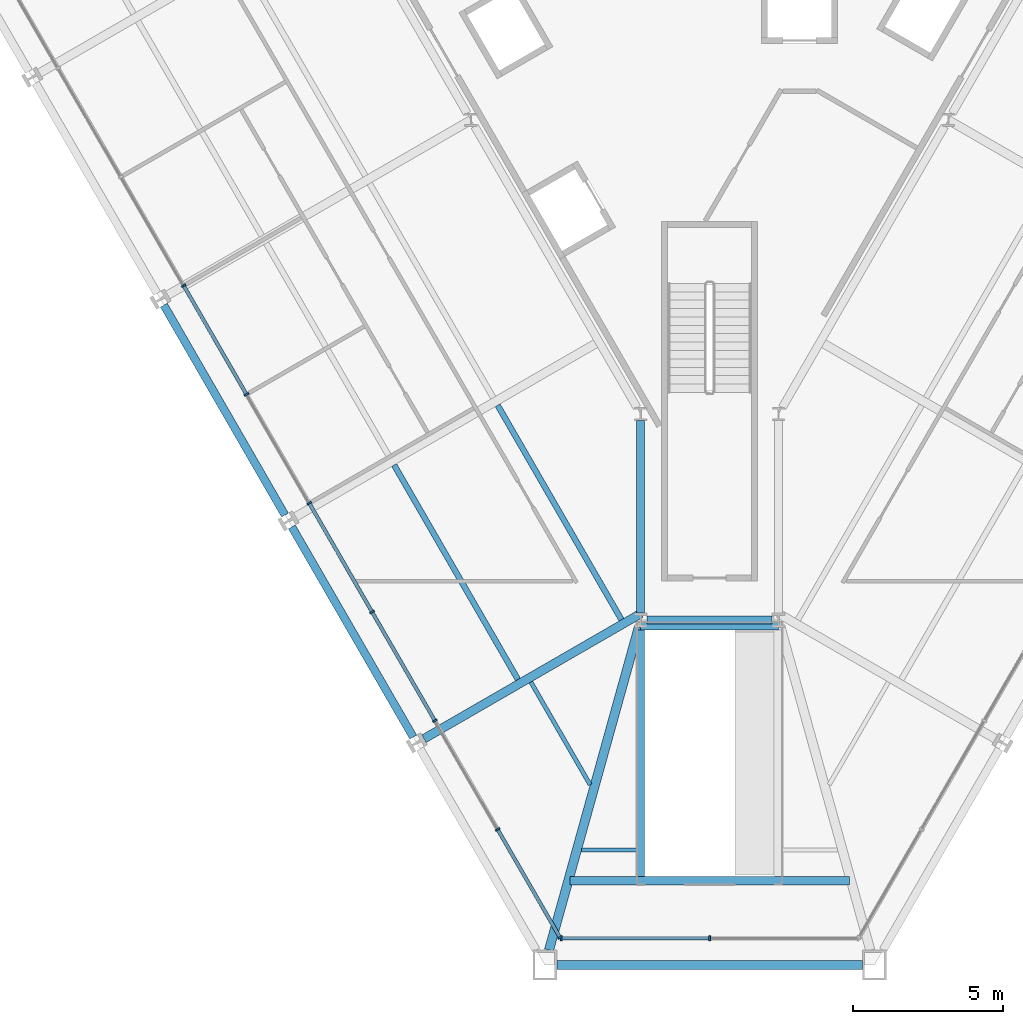
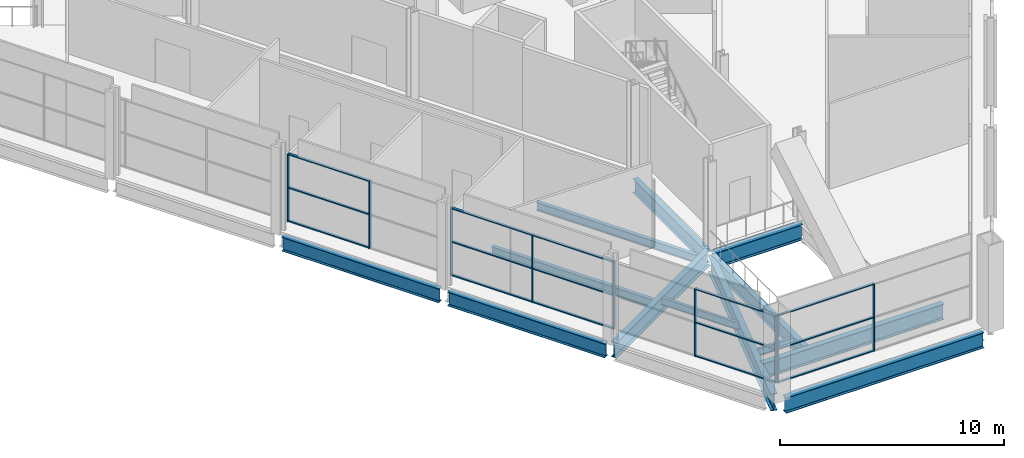
# One storey, part 2 of 18: 24 members, 14 beams, 2 elements without a shape of their own.
"""IFC4 building model written with IfcOpenShell, lengths in metres."""

from ifc_helpers import new_model, si_unit, direction, frame, origin, origin_2d, place, context, subcontext, project, spatial, rectangle, i_section, extrude, material, layer, layer_set, material_profile, profile_set, type_object, element, aggregate, save


model = new_model("IFC4")

# Units and contexts
model_context = context("Model", 3, precision=1e-05, world=origin(), true_north=direction((0.0, 1.0)))
body_context = subcontext(model_context, "Body", "Model", "MODEL_VIEW")
ifc_project = project(units=[si_unit("LENGTHUNIT", "METRE"), si_unit("AREAUNIT", "SQUARE_METRE"), si_unit("VOLUMEUNIT", "CUBIC_METRE"), si_unit("PLANEANGLEUNIT", "RADIAN"), si_unit("MASSUNIT", "GRAM", prefix="KILO")], contexts=[model_context])

# Site, building, storey
site_placement = place(None, origin())
site = spatial("IfcSite", under=ifc_project, at=site_placement, CompositionType="ELEMENT")
building_placement = place(site_placement, origin())
building = spatial("IfcBuilding", under=site, at=building_placement, Name="Verrane Prism Tower", CompositionType="ELEMENT")
storey_placement = place(building_placement, frame((0.0, 0.0, 27.199951171875)))
storey = spatial("IfcBuildingStorey", under=building, at=storey_placement, Name="L04", CompositionType="ELEMENT", Elevation=27.199951171875)

# Curtain wall, members
ifc_material_1 = material(Name="Aluminium and glass curtain wall", Category="aluminium")
ifc_layer = layer(ifc_material_1, 0.199951171875)
ifc_layer_set = layer_set([ifc_layer], Name="CWB-1 retail curtain wall")
curtain_wall_type = type_object("IfcCurtainWallType", Name="CWB-1 retail curtain wall", PredefinedType="NOTDEFINED", material=ifc_layer_set)
curtain_wall_1_placement = place(storey_placement, origin())
curtain_wall_1 = element("IfcCurtainWall", 1, at=curtain_wall_1_placement, inside=storey, type_object=curtain_wall_type, Name="Retail curtain wall L04 4", PredefinedType="NOTDEFINED")
ifc_material_2 = material(Name="Aluminium", Category="aluminium")
ifc_material_profile_1 = material_profile(ifc_material_2, rectangle(XDim=0.159912109375, YDim=0.06005859375, at=origin_2d()), Name="CWB-M 60x160 mullion")
ifc_profile_set_1 = profile_set([ifc_material_profile_1], Name="Aluminium")
member_type_1 = type_object("IfcMemberType", Name="CWB-M 60x160 mullion", PredefinedType="MULLION", material=ifc_profile_set_1)
member_1_placement = place(storey_placement, frame((-17.554443359375, -10.135009765625, 0.0), z_axis=(0.0, 0.0, 1.0), x_axis=(0.866025335097, 0.50000011897, 0.0)))
member_1 = element("IfcMember", 2, at=member_1_placement, type_object=member_type_1, Name="CWB44 mullion 7", PredefinedType="MULLION", context=body_context, shape_type="SweptSolid", body=[
    extrude(rectangle(XDim=0.159912109375, YDim=0.06005859375, at=origin_2d()), origin(), (0.0, 0.0, 1.0), 3.68994140625),
])
member_2_placement = place(storey_placement, frame((-15.458740234375, -13.764892578125, 0.0), z_axis=(0.0, 0.0, 1.0), x_axis=(0.866025335097, 0.50000011897, 0.0)))
member_2 = element("IfcMember", 3, at=member_2_placement, type_object=member_type_1, Name="CWB44 mullion 8", PredefinedType="MULLION", context=body_context, shape_type="SweptSolid", body=[
    extrude(rectangle(XDim=0.159912109375, YDim=0.06005859375, at=origin_2d()), origin(), (0.0, 0.0, 1.0), 3.68994140625),
])
member_3_placement = place(storey_placement, frame((-13.363037109375, -17.39453125, 0.0), z_axis=(0.0, 0.0, 1.0), x_axis=(0.866025335097, 0.50000011897, 0.0)))
member_3 = element("IfcMember", 4, at=member_3_placement, type_object=member_type_1, Name="CWB44 mullion 9", PredefinedType="MULLION", context=body_context, shape_type="SweptSolid", body=[
    extrude(rectangle(XDim=0.159912109375, YDim=0.06005859375, at=origin_2d()), origin(), (0.0, 0.0, 1.0), 3.68994140625),
])
member_4_placement = place(storey_placement, frame((-11.267333984375, -21.0244140625, 0.0), z_axis=(0.0, 0.0, 1.0), x_axis=(0.866025335097, 0.50000011897, 0.0)))
member_4 = element("IfcMember", 5, at=member_4_placement, type_object=member_type_1, Name="CWB44 mullion 10", PredefinedType="MULLION", context=body_context, shape_type="SweptSolid", body=[
    extrude(rectangle(XDim=0.159912109375, YDim=0.06005859375, at=origin_2d()), origin(), (0.0, 0.0, 1.0), 3.68994140625),
])
member_5_placement = place(storey_placement, frame((-9.171630859375, -24.654052734375, 0.0), z_axis=(0.0, 0.0, 1.0), x_axis=(0.866025335097, 0.50000011897, 0.0)))
member_5 = element("IfcMember", 6, at=member_5_placement, type_object=member_type_1, Name="CWB44 mullion 11", PredefinedType="MULLION", context=body_context, shape_type="SweptSolid", body=[
    extrude(rectangle(XDim=0.159912109375, YDim=0.06005859375, at=origin_2d()), origin(), (0.0, 0.0, 1.0), 3.68994140625),
])
member_6_placement = place(storey_placement, frame((-7.075927734375, -28.283935546875, 0.0), z_axis=(0.0, 0.0, 1.0), x_axis=(0.866025335097, 0.50000011897, 0.0)))
member_6 = element("IfcMember", 7, at=member_6_placement, type_object=member_type_1, Name="CWB44 mullion 12", PredefinedType="MULLION", context=body_context, shape_type="SweptSolid", body=[
    extrude(rectangle(XDim=0.159912109375, YDim=0.06005859375, at=origin_2d()), origin(), (0.0, 0.0, 1.0), 3.68994140625),
])
member_7_placement = place(storey_placement, frame((-4.995361328125, -31.8876953125, 0.0), z_axis=(0.0, 0.0, 1.0), x_axis=(0.866025335097, 0.50000011897, 0.0)))
member_7 = element("IfcMember", 8, at=member_7_placement, type_object=member_type_1, Name="CWB44 mullion 13", PredefinedType="MULLION", context=body_context, shape_type="SweptSolid", body=[
    extrude(rectangle(XDim=0.159912109375, YDim=0.06005859375, at=origin_2d()), origin(), (0.0, 0.0, 1.0), 3.68994140625),
])

curtain_wall_2_placement = place(storey_placement, origin())
curtain_wall_2 = element("IfcCurtainWall", 9, at=curtain_wall_2_placement, inside=storey, type_object=curtain_wall_type, Name="Retail curtain wall L04 5", PredefinedType="NOTDEFINED")
member_8_placement = place(storey_placement, frame((-4.950439453125, -31.913818359375, 0.0), z_axis=(0.0, 0.0, 1.0), x_axis=(0.0, 1.0, 0.0)))
member_8 = element("IfcMember", 10, at=member_8_placement, type_object=member_type_1, Name="CWB45 mullion 1", PredefinedType="MULLION", context=body_context, shape_type="SweptSolid", body=[
    extrude(rectangle(XDim=0.159912109375, YDim=0.06005859375, at=origin_2d()), origin(), (0.0, 0.0, 1.0), 3.68994140625),
])
member_9_placement = place(storey_placement, frame((0.0, -31.913818359375, 0.0), z_axis=(0.0, 0.0, 1.0), x_axis=(0.0, 1.0, 0.0)))
member_9 = element("IfcMember", 11, at=member_9_placement, type_object=member_type_1, Name="CWB45 mullion 2", PredefinedType="MULLION", context=body_context, shape_type="SweptSolid", body=[
    extrude(rectangle(XDim=0.159912109375, YDim=0.06005859375, at=origin_2d()), origin(), (0.0, 0.0, 1.0), 3.68994140625),
])

# Member
ifc_material_3 = material(Name="Aluminium", Category="aluminium")
ifc_material_profile_2 = material_profile(ifc_material_3, rectangle(XDim=0.1201171875, YDim=0.06005859375, at=origin_2d()), Name="CWB-T 60x120 transom")
ifc_profile_set_2 = profile_set([ifc_material_profile_2], Name="Aluminium")
member_type_2 = type_object("IfcMemberType", Name="CWB-T 60x120 transom", PredefinedType="USERDEFINED", material=ifc_profile_set_2)
member_10_placement = place(storey_placement, frame((-17.539306640625, -10.160888671875, 0.030029296875), z_axis=(0.499996977546, -0.866027148792, 0.0), x_axis=(0.866027148792, 0.499996977546, 0.0)))
member_10 = element("IfcMember", 12, at=member_10_placement, type_object=member_type_2, Name="CWB44 transom 7.1", ObjectType="TRANSOM", PredefinedType="USERDEFINED", context=body_context, shape_type="SweptSolid", body=[
    extrude(rectangle(XDim=0.1201171875, YDim=0.06005859375, at=origin_2d()), origin(), (0.0, 0.0, 1.0), 4.13134765625),
])

member_11_placement = place(storey_placement, frame((-17.539306640625, -10.160888671875, 1.844970703125), z_axis=(0.499996977546, -0.866027148792, 0.0), x_axis=(0.866027148792, 0.499996977546, 0.0)))
member_11 = element("IfcMember", 13, at=member_11_placement, type_object=member_type_2, Name="CWB44 transom 7.2", ObjectType="TRANSOM", PredefinedType="USERDEFINED", context=body_context, shape_type="SweptSolid", body=[
    extrude(rectangle(XDim=0.1201171875, YDim=0.06005859375, at=origin_2d()), origin(), (0.0, 0.0, 1.0), 4.13134765625),
])

member_12_placement = place(storey_placement, frame((-17.539306640625, -10.160888671875, 3.66015625), z_axis=(0.499996977546, -0.866027148792, 0.0), x_axis=(0.866027148792, 0.499996977546, 0.0)))
member_12 = element("IfcMember", 14, at=member_12_placement, type_object=member_type_2, Name="CWB44 transom 7.3", ObjectType="TRANSOM", PredefinedType="USERDEFINED", context=body_context, shape_type="SweptSolid", body=[
    extrude(rectangle(XDim=0.1201171875, YDim=0.06005859375, at=origin_2d()), origin(), (0.0, 0.0, 1.0), 4.13134765625),
])

member_13_placement = place(storey_placement, frame((-13.347900390625, -17.420654296875, 0.030029296875), z_axis=(0.499978243488, -0.866037964548, 0.0), x_axis=(0.866037964548, 0.499978243488, 0.0)))
member_13 = element("IfcMember", 15, at=member_13_placement, type_object=member_type_2, Name="CWB44 transom 9.1", ObjectType="TRANSOM", PredefinedType="USERDEFINED", context=body_context, shape_type="SweptSolid", body=[
    extrude(rectangle(XDim=0.1201171875, YDim=0.06005859375, at=origin_2d()), origin(), (0.0, 0.0, 1.0), 4.131103515625),
])

member_14_placement = place(storey_placement, frame((-13.347900390625, -17.420654296875, 1.844970703125), z_axis=(0.499978243488, -0.866037964548, 0.0), x_axis=(0.866037964548, 0.499978243488, 0.0)))
member_14 = element("IfcMember", 16, at=member_14_placement, type_object=member_type_2, Name="CWB44 transom 9.2", ObjectType="TRANSOM", PredefinedType="USERDEFINED", context=body_context, shape_type="SweptSolid", body=[
    extrude(rectangle(XDim=0.1201171875, YDim=0.06005859375, at=origin_2d()), origin(), (0.0, 0.0, 1.0), 4.131103515625),
])

member_15_placement = place(storey_placement, frame((-13.347900390625, -17.420654296875, 3.66015625), z_axis=(0.499978243488, -0.866037964548, 0.0), x_axis=(0.866037964548, 0.499978243488, 0.0)))
member_15 = element("IfcMember", 17, at=member_15_placement, type_object=member_type_2, Name="CWB44 transom 9.3", ObjectType="TRANSOM", PredefinedType="USERDEFINED", context=body_context, shape_type="SweptSolid", body=[
    extrude(rectangle(XDim=0.1201171875, YDim=0.06005859375, at=origin_2d()), origin(), (0.0, 0.0, 1.0), 4.131103515625),
])

member_16_placement = place(storey_placement, frame((-11.25244140625, -21.05029296875, 0.030029296875), z_axis=(0.499996977546, -0.866027148792, 0.0), x_axis=(0.866027148792, 0.499996977546, 0.0)))
member_16 = element("IfcMember", 18, at=member_16_placement, type_object=member_type_2, Name="CWB44 transom 10.1", ObjectType="TRANSOM", PredefinedType="USERDEFINED", context=body_context, shape_type="SweptSolid", body=[
    extrude(rectangle(XDim=0.1201171875, YDim=0.06005859375, at=origin_2d()), origin(), (0.0, 0.0, 1.0), 4.13134765625),
])

member_17_placement = place(storey_placement, frame((-11.25244140625, -21.05029296875, 1.844970703125), z_axis=(0.499996977546, -0.866027148792, 0.0), x_axis=(0.866027148792, 0.499996977546, 0.0)))
member_17 = element("IfcMember", 19, at=member_17_placement, type_object=member_type_2, Name="CWB44 transom 10.2", ObjectType="TRANSOM", PredefinedType="USERDEFINED", context=body_context, shape_type="SweptSolid", body=[
    extrude(rectangle(XDim=0.1201171875, YDim=0.06005859375, at=origin_2d()), origin(), (0.0, 0.0, 1.0), 4.13134765625),
])

member_18_placement = place(storey_placement, frame((-11.25244140625, -21.05029296875, 3.66015625), z_axis=(0.499996977546, -0.866027148792, 0.0), x_axis=(0.866027148792, 0.499996977546, 0.0)))
member_18 = element("IfcMember", 20, at=member_18_placement, type_object=member_type_2, Name="CWB44 transom 10.3", ObjectType="TRANSOM", PredefinedType="USERDEFINED", context=body_context, shape_type="SweptSolid", body=[
    extrude(rectangle(XDim=0.1201171875, YDim=0.06005859375, at=origin_2d()), origin(), (0.0, 0.0, 1.0), 4.13134765625),
])

member_19_placement = place(storey_placement, frame((-7.06103515625, -28.309814453125, 0.030029296875), z_axis=(0.499961200281, -0.866047803654, 0.0), x_axis=(0.866047803654, 0.499961200281, 0.0)))
member_19 = element("IfcMember", 21, at=member_19_placement, type_object=member_type_2, Name="CWB44 transom 12.1", ObjectType="TRANSOM", PredefinedType="USERDEFINED", context=body_context, shape_type="SweptSolid", body=[
    extrude(rectangle(XDim=0.1201171875, YDim=0.06005859375, at=origin_2d()), origin(), (0.0, 0.0, 1.0), 4.101318359375),
])

member_20_placement = place(storey_placement, frame((-7.06103515625, -28.309814453125, 1.844970703125), z_axis=(0.499961200281, -0.866047803654, 0.0), x_axis=(0.866047803654, 0.499961200281, 0.0)))
member_20 = element("IfcMember", 22, at=member_20_placement, type_object=member_type_2, Name="CWB44 transom 12.2", ObjectType="TRANSOM", PredefinedType="USERDEFINED", context=body_context, shape_type="SweptSolid", body=[
    extrude(rectangle(XDim=0.1201171875, YDim=0.06005859375, at=origin_2d()), origin(), (0.0, 0.0, 1.0), 4.101318359375),
])

member_21_placement = place(storey_placement, frame((-7.06103515625, -28.309814453125, 3.66015625), z_axis=(0.499961200281, -0.866047803654, 0.0), x_axis=(0.866047803654, 0.499961200281, 0.0)))
member_21 = element("IfcMember", 23, at=member_21_placement, type_object=member_type_2, Name="CWB44 transom 12.3", ObjectType="TRANSOM", PredefinedType="USERDEFINED", context=body_context, shape_type="SweptSolid", body=[
    extrude(rectangle(XDim=0.1201171875, YDim=0.06005859375, at=origin_2d()), origin(), (0.0, 0.0, 1.0), 4.101318359375),
])

aggregate(curtain_wall_1, [member_1, member_2, member_3, member_4, member_5, member_6, member_7, member_10, member_11, member_12, member_13, member_14, member_15, member_16, member_17, member_18, member_19, member_20, member_21])

member_22_placement = place(storey_placement, frame((-4.92041015625, -31.913818359375, 0.030029296875), z_axis=(1.0, 0.0, 0.0), x_axis=(0.0, 1.0, 0.0)))
member_22 = element("IfcMember", 24, at=member_22_placement, type_object=member_type_2, Name="CWB45 transom 1.1", ObjectType="TRANSOM", PredefinedType="USERDEFINED", context=body_context, shape_type="SweptSolid", body=[
    extrude(rectangle(XDim=0.1201171875, YDim=0.06005859375, at=origin_2d()), origin(), (0.0, 0.0, 1.0), 4.890380859375),
])

member_23_placement = place(storey_placement, frame((-4.92041015625, -31.913818359375, 1.844970703125), z_axis=(1.0, 0.0, 0.0), x_axis=(0.0, 1.0, 0.0)))
member_23 = element("IfcMember", 25, at=member_23_placement, type_object=member_type_2, Name="CWB45 transom 1.2", ObjectType="TRANSOM", PredefinedType="USERDEFINED", context=body_context, shape_type="SweptSolid", body=[
    extrude(rectangle(XDim=0.1201171875, YDim=0.06005859375, at=origin_2d()), origin(), (0.0, 0.0, 1.0), 4.890380859375),
])

member_24_placement = place(storey_placement, frame((-4.92041015625, -31.913818359375, 3.66015625), z_axis=(1.0, 0.0, 0.0), x_axis=(0.0, 1.0, 0.0)))
member_24 = element("IfcMember", 26, at=member_24_placement, type_object=member_type_2, Name="CWB45 transom 1.3", ObjectType="TRANSOM", PredefinedType="USERDEFINED", context=body_context, shape_type="SweptSolid", body=[
    extrude(rectangle(XDim=0.1201171875, YDim=0.06005859375, at=origin_2d()), origin(), (0.0, 0.0, 1.0), 4.890380859375),
])

aggregate(curtain_wall_2, [member_8, member_9, member_22, member_23, member_24])

# Beams
ifc_material_4 = material(Name="Steel A992", Category="steel")
ifc_material_profile_3 = material_profile(ifc_material_4, i_section(OverallWidth=0.2919921875, OverallDepth=0.845703125, WebThickness=0.015380859375, FlangeThickness=0.0244140625, FilletRadius=0.017822265625, at=origin_2d()), Name="W33x141")
ifc_profile_set_3 = profile_set([ifc_material_profile_3], Name="Steel A992")
beam_type_1 = type_object("IfcBeamType", Name="Chamfer spandrel beam W33x141", PredefinedType="SPANDREL", material=ifc_profile_set_3)
beam_1_placement = place(storey_placement, frame((-5.10009765625, -32.81005859375, -0.582763671875), z_axis=(1.0, 0.0, 0.0), x_axis=(0.0, 1.0, 0.0)))
element("IfcBeam", 27, at=beam_1_placement, inside=storey, type_object=beam_type_1, Name="Chamfer spandrel beam L04", PredefinedType="SPANDREL", context=body_context, shape_type="SweptSolid", body=[
    extrude(i_section(OverallWidth=0.2919921875, OverallDepth=0.845703125, WebThickness=0.015380859375, FlangeThickness=0.0244140625, FilletRadius=0.017822265625, at=origin_2d()), origin(), (0.0, 0.0, 1.0), 10.2001953125),
])
ifc_material_5 = material(Name="Steel A992", Category="steel")
ifc_material_profile_4 = material_profile(ifc_material_5, i_section(OverallWidth=0.2666015625, OverallDepth=0.76708984375, WebThickness=0.014892578125, FlangeThickness=0.023681640625, FilletRadius=0.0166015625, at=origin_2d()), Name="W30x124")
ifc_profile_set_4 = profile_set([ifc_material_profile_4], Name="Steel A992")
beam_type_2 = type_object("IfcBeamType", Name="Core ring girder W30x124", PredefinedType="BEAM", material=ifc_profile_set_4)
beam_2_placement = place(storey_placement, frame((-2.300048828125, -14.63720703125, -0.633544921875), z_axis=(0.0, -1.0, 0.0), x_axis=(1.0, 0.0, 0.0)))
element("IfcBeam", 28, at=beam_2_placement, inside=storey, type_object=beam_type_2, Name="Core ring girder L04", PredefinedType="BEAM", context=body_context, shape_type="SweptSolid", body=[
    extrude(i_section(OverallWidth=0.2666015625, OverallDepth=0.76708984375, WebThickness=0.014892578125, FlangeThickness=0.023681640625, FilletRadius=0.0166015625, at=origin_2d()), origin(), (0.0, 0.0, 1.0), 6.42529296875),
])
beam_3_placement = place(storey_placement, frame((-2.087890625, -21.300048828125, -0.633544921875), z_axis=(1.0, 0.0, 0.0), x_axis=(0.0, 1.0, 0.0)))
element("IfcBeam", 29, at=beam_3_placement, inside=storey, type_object=beam_type_2, Name="Core ring girder L04", PredefinedType="BEAM", context=body_context, shape_type="SweptSolid", body=[
    extrude(i_section(OverallWidth=0.2666015625, OverallDepth=0.76708984375, WebThickness=0.014892578125, FlangeThickness=0.023681640625, FilletRadius=0.0166015625, at=origin_2d()), origin(), (0.0, 0.0, 1.0), 4.17578125),
])
ifc_material_6 = material(Name="Steel A992", Category="steel")
ifc_material_profile_5 = material_profile(ifc_material_6, i_section(OverallWidth=0.307373046875, OverallDepth=0.927001953125, WebThickness=0.01953125, FlangeThickness=0.031982421875, FilletRadius=0.01904296875, at=origin_2d()), Name="W36x194")
ifc_profile_set_5 = profile_set([ifc_material_profile_5], Name="Steel A992")
beam_type_3 = type_object("IfcBeamType", Name="Corner girder W36x194", PredefinedType="BEAM", material=ifc_profile_set_5)
beam_4_placement = place(storey_placement, frame((-5.361083984375, -32.31005859375, -0.68359375), z_axis=(0.267873594468, 0.963454066049, 0.0), x_axis=(-0.963454066049, 0.267873594468, 0.0)))
element("IfcBeam", 30, at=beam_4_placement, inside=storey, type_object=beam_type_3, Name="Corner girder L04", PredefinedType="BEAM", context=body_context, shape_type="SweptSolid", body=[
    extrude(i_section(OverallWidth=0.307373046875, OverallDepth=0.927001953125, WebThickness=0.01953125, FlangeThickness=0.031982421875, FilletRadius=0.01904296875, at=origin_2d()), origin(), (0.0, 0.0, 1.0), 11.18115234375),
])
ifc_material_7 = material(Name="Steel A992", Category="steel")
ifc_material_profile_6 = material_profile(ifc_material_7, i_section(OverallWidth=0.140380859375, OverallDepth=0.40380859375, WebThickness=0.007080078125, FlangeThickness=0.01123046875, FilletRadius=0.01025390625, at=origin_2d()), Name="W16x31")
ifc_profile_set_6 = profile_set([ifc_material_profile_6], Name="Steel A992")
beam_type_4 = type_object("IfcBeamType", Name="Floor beam W16x31", PredefinedType="BEAM", material=ifc_profile_set_6)
beam_5_placement = place(storey_placement, frame((-3.9873046875, -26.795654296875, -0.36181640625), z_axis=(-0.499978641112, 0.866037734993, 0.0), x_axis=(-0.866037734993, -0.499978641112, 0.0)))
element("IfcBeam", 31, at=beam_5_placement, inside=storey, type_object=beam_type_4, Name="Floor beam L04", PredefinedType="BEAM", context=body_context, shape_type="SweptSolid", body=[
    extrude(i_section(OverallWidth=0.140380859375, OverallDepth=0.40380859375, WebThickness=0.007080078125, FlangeThickness=0.01123046875, FilletRadius=0.01025390625, at=origin_2d()), origin(), (0.0, 0.0, 1.0), 3.959716796875),
])
beam_6_placement = place(storey_placement, frame((-4.27392578125, -28.973388671875, -0.36181640625), z_axis=(1.0, 0.0, 0.0), x_axis=(0.0, 1.0, 0.0)))
element("IfcBeam", 32, at=beam_6_placement, inside=storey, type_object=beam_type_4, Name="Floor beam L04", PredefinedType="BEAM", context=body_context, shape_type="SweptSolid", body=[
    extrude(i_section(OverallWidth=0.140380859375, OverallDepth=0.40380859375, WebThickness=0.007080078125, FlangeThickness=0.01123046875, FilletRadius=0.01025390625, at=origin_2d()), origin(), (0.0, 0.0, 1.0), 1.84033203125),
])
ifc_material_8 = material(Name="Steel A992", Category="steel")
ifc_material_profile_7 = material_profile(ifc_material_8, i_section(OverallWidth=0.1904296875, OverallDepth=0.457275390625, WebThickness=0.009033203125, FlangeThickness=0.014404296875, FilletRadius=0.01025390625, at=origin_2d()), Name="W18x50")
ifc_profile_set_7 = profile_set([ifc_material_profile_7], Name="Steel A992")
beam_type_5 = type_object("IfcBeamType", Name="Floor beam W18x50", PredefinedType="BEAM", material=ifc_profile_set_7)
beam_7_placement = place(storey_placement, frame((-2.943603515625, -21.283203125, -0.388671875), z_axis=(-0.500014123243, 0.866017249573, 0.0), x_axis=(-0.866017249573, -0.500014123243, 0.0)))
element("IfcBeam", 33, at=beam_7_placement, inside=storey, type_object=beam_type_5, Name="Floor beam L04", PredefinedType="BEAM", context=body_context, shape_type="SweptSolid", body=[
    extrude(i_section(OverallWidth=0.1904296875, OverallDepth=0.457275390625, WebThickness=0.009033203125, FlangeThickness=0.014404296875, FilletRadius=0.01025390625, at=origin_2d()), origin(), (0.0, 0.0, 1.0), 8.260009765625),
])
beam_8_placement = place(storey_placement, frame((-6.39892578125, -23.27880859375, -0.388671875), z_axis=(-0.499996977546, 0.866027148792, 0.0), x_axis=(-0.866027148792, -0.499996977546, 0.0)))
element("IfcBeam", 34, at=beam_8_placement, inside=storey, type_object=beam_type_5, Name="Floor beam L04", PredefinedType="BEAM", context=body_context, shape_type="SweptSolid", body=[
    extrude(i_section(OverallWidth=0.1904296875, OverallDepth=0.457275390625, WebThickness=0.009033203125, FlangeThickness=0.014404296875, FilletRadius=0.01025390625, at=origin_2d()), origin(), (0.0, 0.0, 1.0), 8.2626953125),
])
ifc_material_9 = material(Name="Steel A992", Category="steel")
ifc_material_profile_8 = material_profile(ifc_material_9, i_section(OverallWidth=0.2919921875, OverallDepth=0.845703125, WebThickness=0.015380859375, FlangeThickness=0.0244140625, FilletRadius=0.017822265625, at=origin_2d()), Name="W33x141")
ifc_profile_set_8 = profile_set([ifc_material_profile_8], Name="Steel A992")
beam_type_6 = type_object("IfcBeamType", Name="Radial girder W33x141", PredefinedType="BEAM", material=ifc_profile_set_8)
beam_9_placement = place(storey_placement, frame((-9.53369140625, -25.2578125, -0.642822265625), z_axis=(0.866016684991, 0.500015101088, 0.0), x_axis=(-0.500015101088, 0.866016684991, 0.0)))
element("IfcBeam", 35, at=beam_9_placement, inside=storey, type_object=beam_type_6, Name="Radial girder L04", PredefinedType="BEAM", context=body_context, shape_type="SweptSolid", body=[
    extrude(i_section(OverallWidth=0.2919921875, OverallDepth=0.845703125, WebThickness=0.015380859375, FlangeThickness=0.0244140625, FilletRadius=0.017822265625, at=origin_2d()), origin(), (0.0, 0.0, 1.0), 8.352783203125),
])
ifc_material_10 = material(Name="Steel A992", Category="steel")
ifc_material_profile_9 = material_profile(ifc_material_10, i_section(OverallWidth=0.2666015625, OverallDepth=0.76708984375, WebThickness=0.014892578125, FlangeThickness=0.023681640625, FilletRadius=0.0166015625, at=origin_2d()), Name="W30x124")
ifc_profile_set_9 = profile_set([ifc_material_profile_9], Name="Steel A992")
beam_type_7 = type_object("IfcBeamType", Name="Slab edge girder W30x124", PredefinedType="BEAM", material=ifc_profile_set_9)
beam_10_placement = place(storey_placement, frame((-2.300048828125, -21.6298828125, -0.54345703125), z_axis=(0.0, -1.0, 0.0), x_axis=(1.0, 0.0, 0.0)))
element("IfcBeam", 36, at=beam_10_placement, inside=storey, type_object=beam_type_7, Name="Slab edge girder L04", PredefinedType="BEAM", context=body_context, shape_type="SweptSolid", body=[
    extrude(i_section(OverallWidth=0.2666015625, OverallDepth=0.76708984375, WebThickness=0.014892578125, FlangeThickness=0.023681640625, FilletRadius=0.0166015625, at=origin_2d()), origin(), (0.0, 0.0, 1.0), 8.230224609375),
])
ifc_material_11 = material(Name="Steel A992", Category="steel")
ifc_material_profile_10 = material_profile(ifc_material_11, i_section(OverallWidth=0.2919921875, OverallDepth=0.845703125, WebThickness=0.015380859375, FlangeThickness=0.0244140625, FilletRadius=0.017822265625, at=origin_2d()), Name="W33x141")
ifc_profile_set_10 = profile_set([ifc_material_profile_10], Name="Steel A992")
beam_type_8 = type_object("IfcBeamType", Name="Slab edge girder W33x141", PredefinedType="BEAM", material=ifc_profile_set_10)
beam_11_placement = place(storey_placement, frame((-4.668701171875, -30.0, -0.582763671875), z_axis=(1.0, 0.0, 0.0), x_axis=(0.0, 1.0, 0.0)))
element("IfcBeam", 37, at=beam_11_placement, inside=storey, type_object=beam_type_8, Name="Slab edge girder L04", PredefinedType="BEAM", context=body_context, shape_type="SweptSolid", body=[
    extrude(i_section(OverallWidth=0.2919921875, OverallDepth=0.845703125, WebThickness=0.015380859375, FlangeThickness=0.0244140625, FilletRadius=0.017822265625, at=origin_2d()), origin(), (0.0, 0.0, 1.0), 9.33740234375),
])
beam_12_placement = place(storey_placement, frame((2.302734375, -21.489990234375, -0.582763671875), z_axis=(-1.0, 0.0, 0.0), x_axis=(0.0, -1.0, 0.0)))
element("IfcBeam", 38, at=beam_12_placement, inside=storey, type_object=beam_type_8, Name="Slab edge girder L04", PredefinedType="BEAM", context=body_context, shape_type="SweptSolid", body=[
    extrude(i_section(OverallWidth=0.2919921875, OverallDepth=0.845703125, WebThickness=0.015380859375, FlangeThickness=0.0244140625, FilletRadius=0.017822265625, at=origin_2d()), origin(), (0.0, 0.0, 1.0), 4.60546875),
])
ifc_material_12 = material(Name="Steel A992", Category="steel")
ifc_material_profile_11 = material_profile(ifc_material_12, i_section(OverallWidth=0.2666015625, OverallDepth=0.76708984375, WebThickness=0.014892578125, FlangeThickness=0.023681640625, FilletRadius=0.0166015625, at=origin_2d()), Name="W30x124")
ifc_profile_set_11 = profile_set([ifc_material_profile_11], Name="Steel A992")
beam_type_9 = type_object("IfcBeamType", Name="Spandrel beam W30x124", PredefinedType="SPANDREL", material=ifc_profile_set_11)
beam_13_placement = place(storey_placement, frame((-18.21630859375, -10.786865234375, -0.54345703125), z_axis=(0.499778193066, -0.86615342621, 0.0), x_axis=(0.86615342621, 0.499778193066, 0.0)))
element("IfcBeam", 39, at=beam_13_placement, inside=storey, type_object=beam_type_9, Name="Spandrel beam L04", PredefinedType="SPANDREL", context=body_context, shape_type="SweptSolid", body=[
    extrude(i_section(OverallWidth=0.2666015625, OverallDepth=0.76708984375, WebThickness=0.014892578125, FlangeThickness=0.023681640625, FilletRadius=0.0166015625, at=origin_2d()), origin(), (0.0, 0.0, 1.0), 8.089111328125),
])
beam_14_placement = place(storey_placement, frame((-13.9462890625, -18.18701171875, -0.54345703125), z_axis=(0.500160624136, -0.865932647533, 0.0), x_axis=(0.865932647533, 0.500160624136, 0.0)))
element("IfcBeam", 40, at=beam_14_placement, inside=storey, type_object=beam_type_9, Name="Spandrel beam L04", PredefinedType="SPANDREL", context=body_context, shape_type="SweptSolid", body=[
    extrude(i_section(OverallWidth=0.2666015625, OverallDepth=0.76708984375, WebThickness=0.014892578125, FlangeThickness=0.023681640625, FilletRadius=0.0166015625, at=origin_2d()), origin(), (0.0, 0.0, 1.0), 8.102294921875),
])

save(model, "model.ifc")
